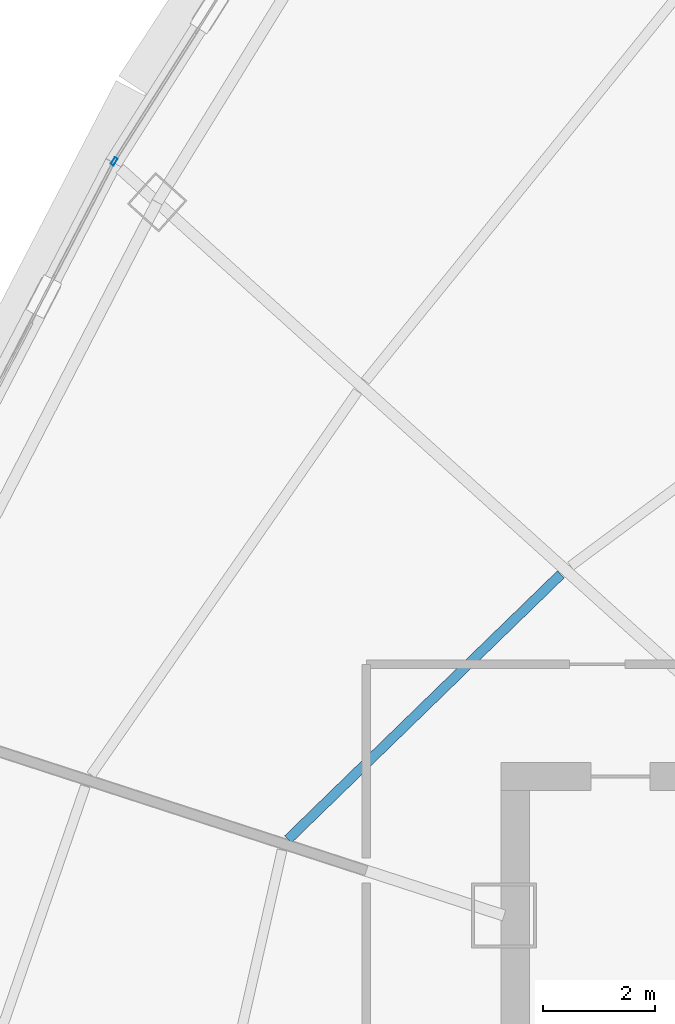
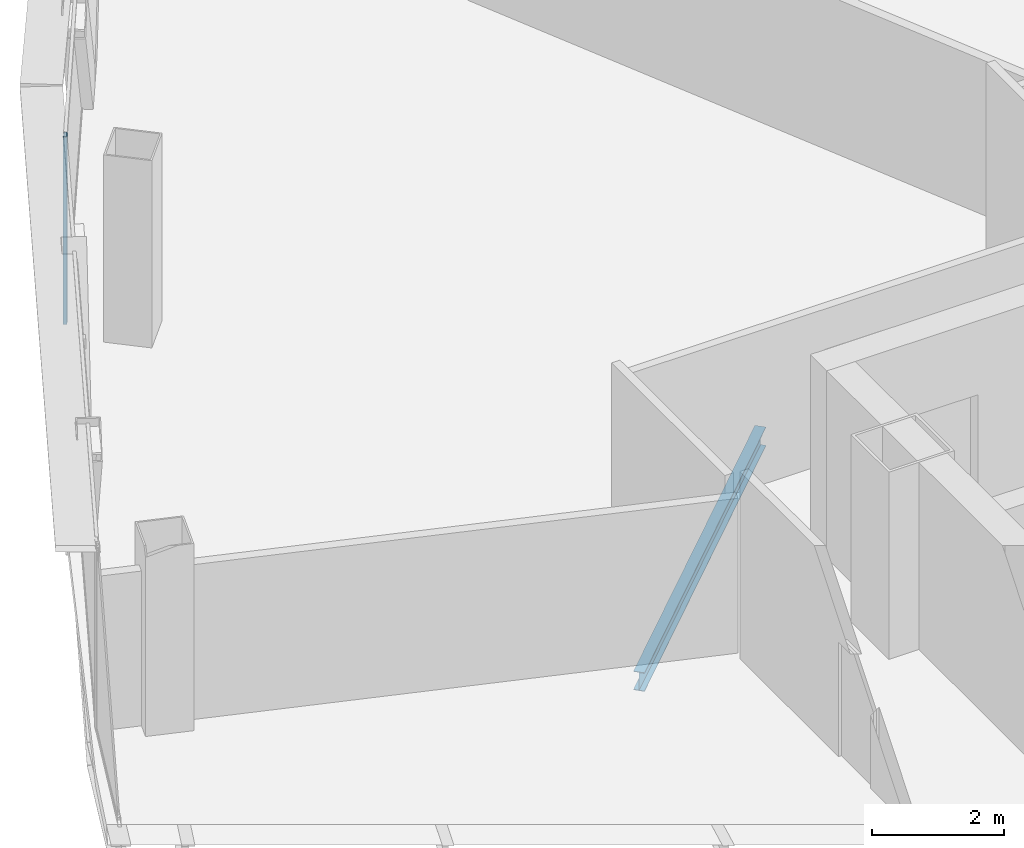
# One storey, part 10 of 33: 1 beam, 1 member, 1 element without a shape of its own.
"""IFC4 building model written with IfcOpenShell, lengths in metres."""

from ifc_helpers import new_model, si_unit, direction, frame, origin, origin_2d, place, context, subcontext, project, spatial, hollow_rectangle, i_section, extrude, source, transform, mapped, material, layer, layer_set, material_profile, profile_set, type_object, element, aggregate, save


model = new_model("IFC4")

# Units and contexts
model_context = context("Model", 3, precision=1e-05, world=origin(), true_north=direction((0.0, 1.0)))
body_context = subcontext(model_context, "Body", "Model", "MODEL_VIEW")
ifc_project = project(units=[si_unit("LENGTHUNIT", "METRE"), si_unit("AREAUNIT", "SQUARE_METRE"), si_unit("VOLUMEUNIT", "CUBIC_METRE"), si_unit("PLANEANGLEUNIT", "RADIAN"), si_unit("MASSUNIT", "GRAM", prefix="KILO"), si_unit("THERMODYNAMICTEMPERATUREUNIT", "KELVIN"), si_unit("POWERUNIT", "WATT")], contexts=[model_context])

# Site, building, storey
site_placement = place(None, origin())
site = spatial("IfcSite", under=ifc_project, at=site_placement, CompositionType="ELEMENT")
building_placement = place(site_placement, origin())
building = spatial("IfcBuilding", under=site, at=building_placement, Name="Yunzhuo Pagoda Commons", CompositionType="ELEMENT")
storey_placement = place(building_placement, frame((0.0, 0.0, 311.1298828125)))
storey = spatial("IfcBuildingStorey", under=building, at=storey_placement, Name="L78", CompositionType="ELEMENT", Elevation=311.1298828125)

# Beam
ifc_material_1 = material(Name="Structural steel Q355B", Category="steel")
ifc_material_profile_1 = material_profile(ifc_material_1, i_section(OverallWidth=0.175048828125, OverallDepth=0.35009765625, WebThickness=0.007080078125, FlangeThickness=0.010986328125, at=origin_2d()), Name="Structural steel Q355B")
ifc_profile_set_1 = profile_set([ifc_material_profile_1], Name="Structural steel Q355B")
beam_type = type_object("IfcBeamType", Name="B-JS2 Joist HN 350x175x7x11", PredefinedType="JOIST", material=ifc_profile_set_1)
shared_shape_1 = source(origin(), body_context, "Body", "SweptSolid", [
    extrude(i_section(OverallWidth=0.175048828125, OverallDepth=0.35009765625, WebThickness=0.007080078125, FlangeThickness=0.010986328125, at=origin_2d()), origin(), (0.0, 0.0, 1.0), 6.767333984375),
])
beam_placement = place(storey_placement, frame((36.611083984375, 43.80029296875, -0.434814453125), z_axis=(-0.717207253673, -0.696859925149, 0.0), x_axis=(0.696859925149, -0.717207253673, 0.0)))
element("IfcBeam", 1, at=beam_placement, inside=storey, type_object=beam_type, Name="L78 composite ring joist 1.10", PredefinedType="JOIST", context=body_context, shape_type="MappedRepresentation", body=[
    mapped(shared_shape_1, transform((0.0, 0.0, 0.0), scale=1.0)),
])

# Curtain wall, member
ifc_material_2 = material(Name="Anodized aluminium 6063-T6", Category="aluminium")
ifc_layer = layer(ifc_material_2, 0.139892578125)
ifc_layer_set = layer_set([ifc_layer], Name="Anodized aluminium 6063-T6")
curtain_wall_type = type_object("IfcCurtainWallType", Name="CW-HI High-Zone Ribbon Curtain Wall", PredefinedType="NOTDEFINED", material=ifc_layer_set)
curtain_wall_placement = place(storey_placement, origin())
curtain_wall = element("IfcCurtainWall", 2, at=curtain_wall_placement, inside=storey, type_object=curtain_wall_type, Name="L78 curtain wall CW-L78-F3B2", PredefinedType="NOTDEFINED")
ifc_material_profile_2 = material_profile(ifc_material_2, hollow_rectangle(XDim=0.06005859375, YDim=0.139892578125, WallThickness=0.00341796875, at=origin_2d()), Name="Anodized aluminium 6063-T6")
ifc_profile_set_2 = profile_set([ifc_material_profile_2], Name="Anodized aluminium 6063-T6")
member_type = type_object("IfcMemberType", Name="CW-HI-M Mullion RHS 140x60x3.5", PredefinedType="MULLION", material=ifc_profile_set_2)
shared_shape_2 = source(origin(), body_context, "Body", "SweptSolid", [
    extrude(hollow_rectangle(XDim=0.06005859375, YDim=0.139892578125, WallThickness=0.00341796875, at=origin_2d()), origin(), (0.0, 0.0, 1.0), 3.47021484375),
])
member_placement = place(storey_placement, frame((28.66259765625, 51.1513671875, 0.0), z_axis=(0.0, 0.0, 1.0), x_axis=(0.844512740935, -0.535535461383, 0.0)))
member = element("IfcMember", 3, at=member_placement, type_object=member_type, Name="CW mullion 2", PredefinedType="MULLION", context=body_context, shape_type="MappedRepresentation", body=[
    mapped(shared_shape_2, transform((0.0, 0.0, 0.0), scale=1.0)),
])
aggregate(curtain_wall, [member])

save(model, "model.ifc")
